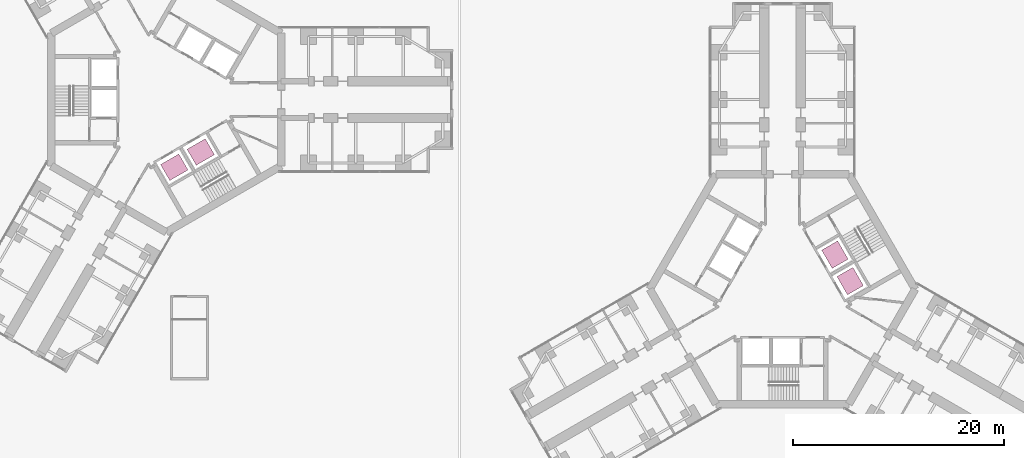
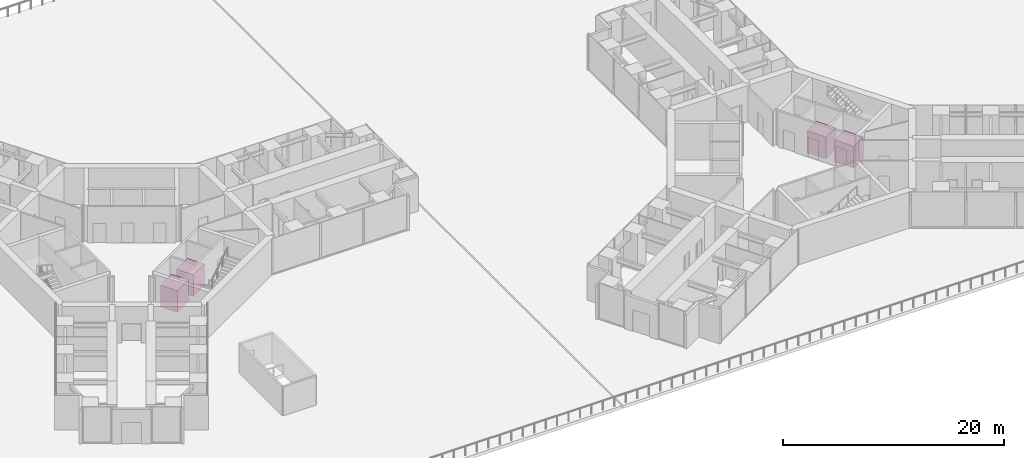
# One storey, part 23 of 23: 4 transport elements.
"""IFC4 building model written with IfcOpenShell, lengths in metres."""

from ifc_helpers import new_model, si_unit, direction, frame, origin, origin_2d, place, context, subcontext, project, spatial, rectangle, extrude, material, type_object, element, save


model = new_model("IFC4")

# Units and contexts
model_context = context("Model", 3, precision=1e-05, world=origin(), true_north=direction((0.0, 1.0)))
body_context = subcontext(model_context, "Body", "Model", "MODEL_VIEW")
ifc_project = project(units=[si_unit("LENGTHUNIT", "METRE"), si_unit("AREAUNIT", "SQUARE_METRE"), si_unit("VOLUMEUNIT", "CUBIC_METRE"), si_unit("PLANEANGLEUNIT", "RADIAN"), si_unit("MASSUNIT", "GRAM", prefix="KILO")], contexts=[model_context])

# Site, building, storey
site_placement = place(None, origin())
site = spatial("IfcSite", under=ifc_project, at=site_placement, CompositionType="ELEMENT")
building_placement = place(site_placement, origin())
building = spatial("IfcBuilding", under=site, at=building_placement, Name="Upepo Twin Towers", CompositionType="ELEMENT")
storey_placement = place(building_placement, frame((0.0, 0.0, 20.5)))
storey = spatial("IfcBuildingStorey", under=building, at=storey_placement, Name="L04", CompositionType="ELEMENT", Elevation=20.5)

# Transport elements
ifc_material = material(Name="Steel lift car", Category="steel")
transport_element_type = type_object("IfcTransportElementType", Name="Passenger lift 1600 kg", PredefinedType="ELEVATOR", material=ifc_material)
for number, where, z_axis, x_axis, name in (
    (1, (0.7666015625, -6.427734375, 0.0), (0.0, 0.0, 1.0), (0.866025403784, 0.5, 0.0), "T1 lift LL1"),
    (2, (3.278076171875, -4.977783203125, 0.0), (0.0, 0.0, 1.0), (0.866025403784, 0.5, 0.0), "T1 lift LL2"),
    (3, (64.927734375, -17.2333984375, 0.0), (0.0, 0.0, 1.0), (-0.5, 0.866025403784, 0.0), "T2 lift LL1"),
    (4, (63.477783203125, -14.721923828125, 0.0), (0.0, 0.0, 1.0), (-0.5, 0.866025403784, 0.0), "T2 lift LL2"),
):
    element("IfcTransportElement", number, at=place(storey_placement, frame(where, z_axis=z_axis, x_axis=x_axis)), inside=storey, type_object=transport_element_type, Name=name, PredefinedType="ELEVATOR", context=body_context, shape_type="SweptSolid", body=[
        extrude(rectangle(XDim=2.0, YDim=1.75, at=origin_2d()), origin(), (0.0, 0.0, 1.0), 2.39990234375),
    ])

save(model, "model.ifc")
